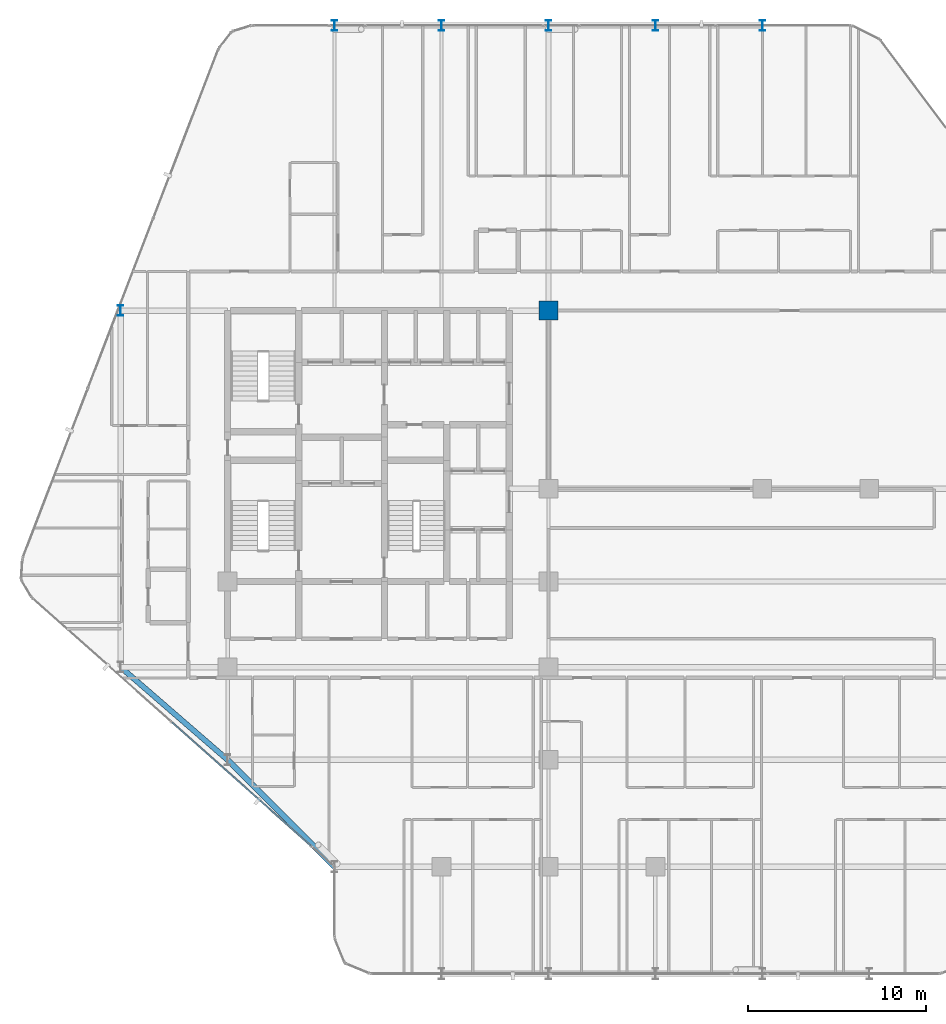
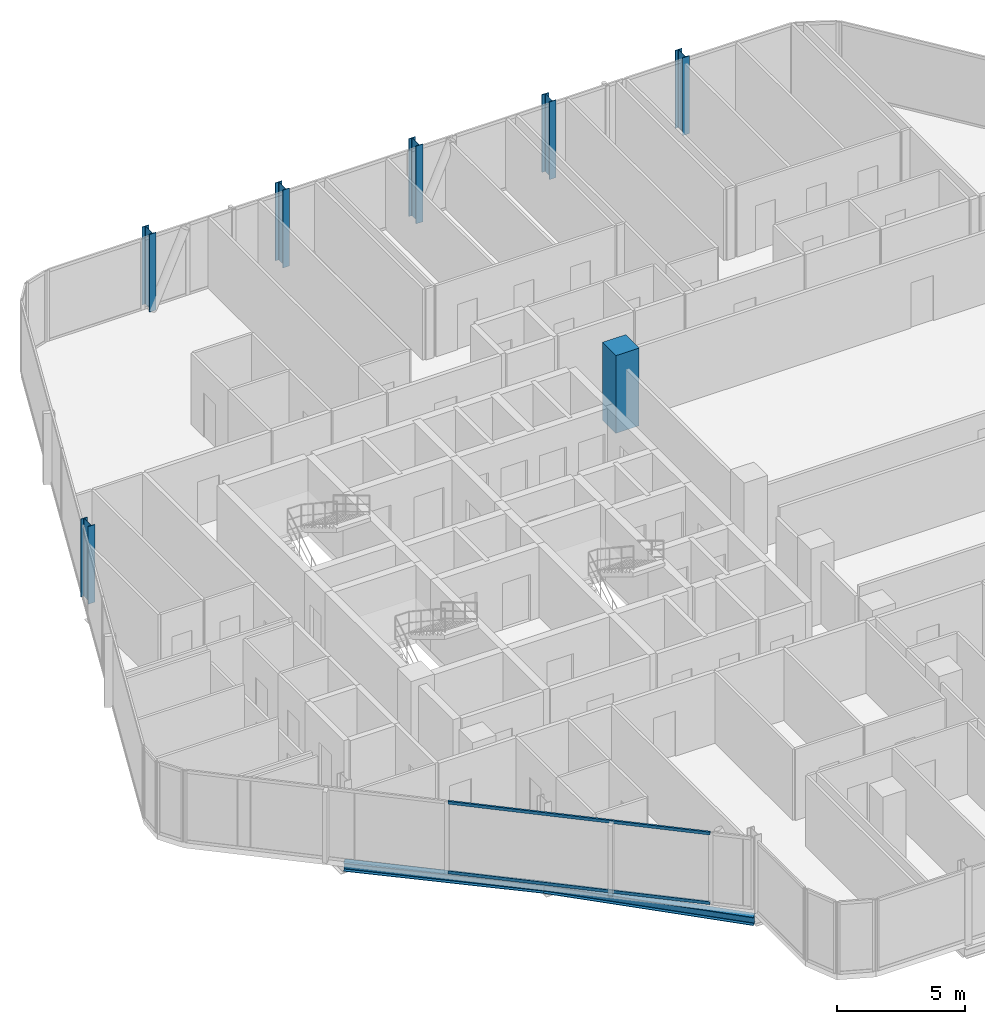
# One storey, part 2 of 29: 7 columns, 2 beams, 2 members, 1 element without a shape of its own.
"""IFC4 building model written with IfcOpenShell, lengths in metres."""

from ifc_helpers import new_model, si_unit, direction, frame, origin, origin_2d, place, context, subcontext, project, spatial, rectangle, hollow_rectangle, i_section, extrude, material, layer, layer_set, material_profile, profile_set, type_object, element, aggregate, save


model = new_model("IFC4")

# Units and contexts
model_context = context("Model", 3, precision=1e-05, world=origin(), true_north=direction((0.0, 1.0)))
body_context = subcontext(model_context, "Body", "Model", "MODEL_VIEW")
ifc_project = project(units=[si_unit("LENGTHUNIT", "METRE"), si_unit("AREAUNIT", "SQUARE_METRE"), si_unit("VOLUMEUNIT", "CUBIC_METRE"), si_unit("PLANEANGLEUNIT", "RADIAN"), si_unit("MASSUNIT", "GRAM", prefix="KILO")], contexts=[model_context])

# Site, building, storey
site_placement = place(None, origin())
site = spatial("IfcSite", under=ifc_project, at=site_placement, CompositionType="ELEMENT")
building_placement = place(site_placement, origin())
building = spatial("IfcBuilding", under=site, at=building_placement, Name="Keshet Zoharim Tower", CompositionType="ELEMENT")
storey_placement = place(building_placement, frame((0.0, 0.0, 102.0)))
storey = spatial("IfcBuildingStorey", under=building, at=storey_placement, Name="L24", CompositionType="ELEMENT", Elevation=102.0)

# Columns
ifc_material_1 = material(Name="Steel S355", Category="steel")
ifc_material_profile_1 = material_profile(ifc_material_1, i_section(OverallWidth=0.300048828125, OverallDepth=0.60009765625, WebThickness=0.015380859375, FlangeThickness=0.030029296875, FilletRadius=0.027099609375, at=origin_2d()), Name="HEB600")
ifc_profile_set_1 = profile_set([ifc_material_profile_1], Name="Steel S355")
column_type_1 = type_object("IfcColumnType", Name="COL-HEB600", PredefinedType="COLUMN", material=ifc_profile_set_1)
for number, where, z_axis, x_axis, name in (
    (1, (9.0, 37.89990234375, 0.0), (0.0, 0.0, 1.0), (1.0, 0.0, 0.0), "L24 Column 2H"),
    (2, (21.0, 53.89990234375, 0.0), (0.0, 0.0, 1.0), (1.0, 0.0, 0.0), "L24 Column 4L"),
    (3, (27.0, 53.89990234375, 0.0), (0.0, 0.0, 1.0), (1.0, 0.0, 0.0), "L24 Column 5L"),
    (4, (33.0, 53.89990234375, 0.0), (0.0, 0.0, 1.0), (1.0, 0.0, 0.0), "L24 Column 6L"),
    (5, (39.0, 53.89990234375, 0.0), (0.0, 0.0, 1.0), (1.0, 0.0, 0.0), "L24 Column 7L"),
    (6, (45.0, 53.89990234375, 0.0), (0.0, 0.0, 1.0), (1.0, 0.0, 0.0), "L24 Column 8L"),
):
    element("IfcColumn", number, at=place(storey_placement, frame(where, z_axis=z_axis, x_axis=x_axis)), inside=storey, type_object=column_type_1, Name=name, PredefinedType="COLUMN", context=body_context, shape_type="SweptSolid", body=[
        extrude(i_section(OverallWidth=0.300048828125, OverallDepth=0.60009765625, WebThickness=0.015380859375, FlangeThickness=0.030029296875, FilletRadius=0.027099609375, at=origin_2d()), origin(), (0.0, 0.0, 1.0), 3.699951171875),
    ])
ifc_material_2 = material(Name="Concrete C60/75", Category="concrete")
ifc_material_profile_2 = material_profile(ifc_material_2, rectangle(XDim=1.050048828125, YDim=1.050048828125, at=origin_2d()), Name="RC1050x1050")
ifc_profile_set_2 = profile_set([ifc_material_profile_2], Name="Concrete C60/75")
column_type_2 = type_object("IfcColumnType", Name="COL-RC1050", PredefinedType="COLUMN", material=ifc_profile_set_2)
column_placement = place(storey_placement, frame((33.0, 37.89990234375, 0.0), z_axis=(0.0, 0.0, 1.0), x_axis=(1.0, 0.0, 0.0)))
element("IfcColumn", 7, at=column_placement, inside=storey, type_object=column_type_2, Name="L24 Column 6H", PredefinedType="COLUMN", context=body_context, shape_type="SweptSolid", body=[
    extrude(rectangle(XDim=1.050048828125, YDim=1.050048828125, at=origin_2d()), origin(), (0.0, 0.0, 1.0), 3.699951171875),
])

# Beams
ifc_material_profile_3 = material_profile(ifc_material_1, i_section(OverallWidth=0.300048828125, OverallDepth=0.39990234375, WebThickness=0.013427734375, FlangeThickness=0.02392578125, FilletRadius=0.027099609375, at=origin_2d()), Name="HEB400")
ifc_profile_set_3 = profile_set([ifc_material_profile_3], Name="Steel S355")
beam_type = type_object("IfcBeamType", Name="BM-SPN-HB400", PredefinedType="SPANDREL", material=ifc_profile_set_3)
beam_1_placement = place(storey_placement, frame((21.0, 6.699951171875, -0.514892578125), z_axis=(-0.707106781187, 0.707106781187, 0.0), x_axis=(-0.707106781187, -0.707106781187, 0.0)))
element("IfcBeam", 8, at=beam_1_placement, inside=storey, type_object=beam_type, Name="L24 Perimeter Spandrel Beam 01", PredefinedType="SPANDREL", context=body_context, shape_type="SweptSolid", body=[
    extrude(i_section(OverallWidth=0.300048828125, OverallDepth=0.39990234375, WebThickness=0.013427734375, FlangeThickness=0.02392578125, FilletRadius=0.027099609375, at=origin_2d()), origin(), (0.0, 0.0, 1.0), 8.4853515625),
])
beam_2_placement = place(storey_placement, frame((9.0, 17.89990234375, -0.514892578125), z_axis=(0.755692126483, -0.654927026447, 0.0), x_axis=(0.654927026447, 0.755692126483, 0.0)))
element("IfcBeam", 9, at=beam_2_placement, inside=storey, type_object=beam_type, Name="L24 Perimeter Spandrel Beam 02", PredefinedType="SPANDREL", context=body_context, shape_type="SweptSolid", body=[
    extrude(i_section(OverallWidth=0.300048828125, OverallDepth=0.39990234375, WebThickness=0.013427734375, FlangeThickness=0.02392578125, FilletRadius=0.027099609375, at=origin_2d()), origin(), (0.0, 0.0, 1.0), 7.939697265625),
])

# Curtain wall, members
ifc_material_3 = material(Name="Aluminium 6063-T6", Category="aluminium")
ifc_layer = layer(ifc_material_3, 0.159912109375)
ifc_layer_set = layer_set([ifc_layer], Name="Aluminium 6063-T6")
curtain_wall_type = type_object("IfcCurtainWallType", Name="CW-SYS-03", PredefinedType="NOTDEFINED", material=ifc_layer_set)
curtain_wall_placement = place(storey_placement, origin())
curtain_wall = element("IfcCurtainWall", 10, at=curtain_wall_placement, inside=storey, type_object=curtain_wall_type, Name="L24 Unitised Curtain Wall 07 Part 2", PredefinedType="NOTDEFINED")
ifc_material_profile_4 = material_profile(ifc_material_3, hollow_rectangle(XDim=0.080078125, YDim=0.139892578125, WallThickness=0.00390625, at=origin_2d()), Name="TRN-80x140")
ifc_profile_set_4 = profile_set([ifc_material_profile_4], Name="Aluminium 6063-T6")
member_type = type_object("IfcMemberType", Name="CWT-T14", PredefinedType="USERDEFINED", material=ifc_profile_set_4)
member_1_placement = place(storey_placement, frame((19.684326171875, 7.869384765625, 0.034912109375), z_axis=(-0.747406736814, 0.664366743421, 0.0), x_axis=(-0.664366743421, -0.747406736814, 0.0)))
member_1 = element("IfcMember", 11, at=member_1_placement, type_object=member_type, Name="CW-03 transom 1.1", ObjectType="TRANSOM", PredefinedType="USERDEFINED", context=body_context, shape_type="SweptSolid", body=[
    extrude(hollow_rectangle(XDim=0.080078125, YDim=0.139892578125, WallThickness=0.00390625, at=origin_2d()), origin(), (0.0, 0.0, 1.0), 10.43408203125),
])
member_2_placement = place(storey_placement, frame((19.684326171875, 7.869384765625, 3.35009765625), z_axis=(-0.747406736814, 0.664366743421, 0.0), x_axis=(-0.664366743421, -0.747406736814, 0.0)))
member_2 = element("IfcMember", 12, at=member_2_placement, type_object=member_type, Name="CW-03 transom 1.2", ObjectType="TRANSOM", PredefinedType="USERDEFINED", context=body_context, shape_type="SweptSolid", body=[
    extrude(hollow_rectangle(XDim=0.080078125, YDim=0.139892578125, WallThickness=0.00390625, at=origin_2d()), origin(), (0.0, 0.0, 1.0), 10.43408203125),
])
aggregate(curtain_wall, [member_1, member_2])

save(model, "model.ifc")
